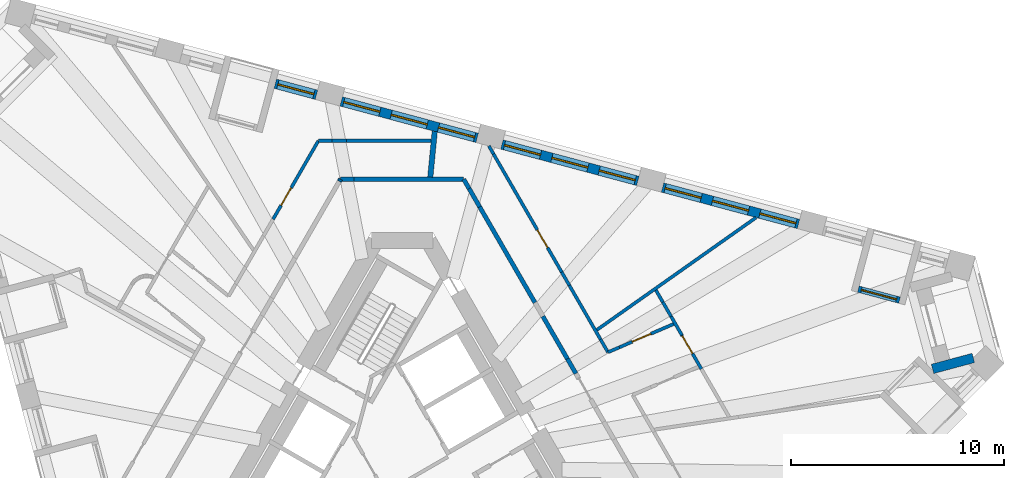
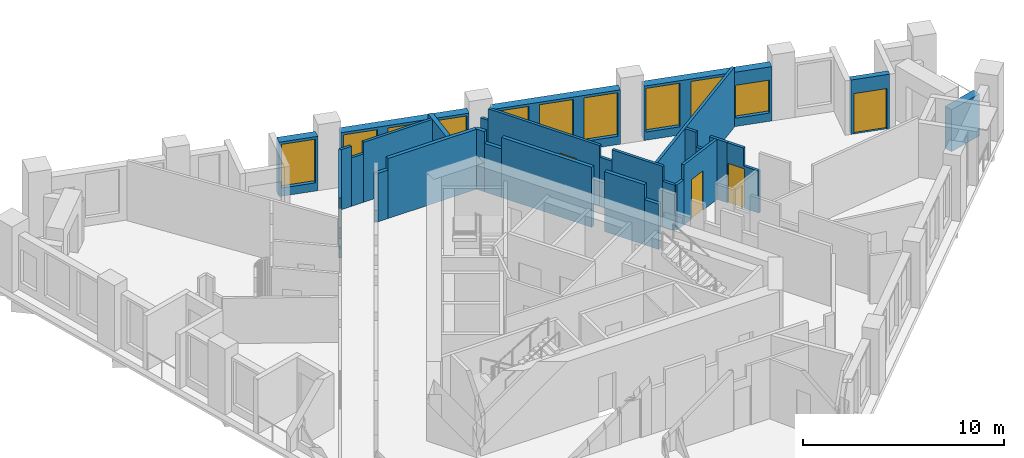
# One storey, part 8 of 13: 31 walls, 10 windows, 5 doors, 15 openings.
"""IFC4 building model written with IfcOpenShell, lengths in metres."""

from ifc_helpers import new_model, si_unit, direction, frame, frame_2d, origin, place, context, subcontext, project, spatial, polyline, rectangle, outline, extrude, material, layer, layer_set, type_object, element, fill, save


model = new_model("IFC4")

# Units and contexts
model_context = context("Model", 3, precision=1e-05, world=origin(), true_north=direction((0.0, 1.0)))
body_context = subcontext(model_context, "Body", "Model", "MODEL_VIEW")
ifc_project = project(units=[si_unit("LENGTHUNIT", "METRE"), si_unit("AREAUNIT", "SQUARE_METRE"), si_unit("VOLUMEUNIT", "CUBIC_METRE"), si_unit("PLANEANGLEUNIT", "RADIAN"), si_unit("MASSUNIT", "GRAM", prefix="KILO")], contexts=[model_context])

# Site, building, storey
site_placement = place(None, origin())
site = spatial("IfcSite", under=ifc_project, at=site_placement, CompositionType="ELEMENT")
building_placement = place(site_placement, origin())
building = spatial("IfcBuilding", under=site, at=building_placement, Name="Tramontana Tower", CompositionType="ELEMENT")
storey_placement = place(building_placement, frame((0.0, 0.0, 220.0)))
storey = spatial("IfcBuildingStorey", under=building, at=storey_placement, Name="L51", CompositionType="ELEMENT", Elevation=220.0)

# Walls
ifc_material_1 = material(Name="Blockwork", Category="masonry")
ifc_layer_1 = layer(ifc_material_1, 0.199951171875)
ifc_layer_set_1 = layer_set([ifc_layer_1], Name="ENTRY WALL 200")
wall_type_1 = type_object("IfcWallType", Name="ENTRY WALL 200", PredefinedType="SOLIDWALL", material=ifc_layer_set_1)
wall_1_placement = place(storey_placement, frame((2.88671875, 13.5, 0.0), z_axis=(0.0, 0.0, 1.0), x_axis=(0.500002592159, -0.866023907196, 0.0)))
element("IfcWall", 1, at=wall_1_placement, inside=storey, type_object=wall_type_1, Name="Wall v51-ew0-0", PredefinedType="SOLIDWALL", context=body_context, shape_type="SweptSolid", body=[
    extrude(rectangle(XDim=0.5029296875, YDim=0.199951171875, at=frame_2d((0.25146484375, 0.0))), origin(), (0.0, 0.0, 1.0), 3.64990234375),
])
wall_2_placement = place(storey_placement, frame((3.13818359375, 13.064453125, 0.0), z_axis=(0.0, 0.0, 1.0), x_axis=(0.500063959222, -0.865988473761, 0.0)))
element("IfcWall", 2, at=wall_2_placement, inside=storey, type_object=wall_type_1, Name="Wall v51-ew0-1", PredefinedType="SOLIDWALL", context=body_context, shape_type="SweptSolid", body=[
    extrude(rectangle(XDim=0.989990234375, YDim=0.199951171875, at=frame_2d((0.4951171875, 0.0))), origin(), (0.0, 0.0, 1.0), 2.949951171875),
])
wall_3_placement = place(storey_placement, frame((3.63330078125, 12.20703125, 0.0), z_axis=(0.0, 0.0, 1.0), x_axis=(0.499990271856, -0.866031020258, 0.0)))
element("IfcWall", 3, at=wall_3_placement, inside=storey, type_object=wall_type_1, Name="Wall v51-ew0-2", PredefinedType="SOLIDWALL", context=body_context, shape_type="SweptSolid", body=[
    extrude(rectangle(XDim=5.181640625, YDim=0.199951171875, at=frame_2d((2.5908203125, 0.0))), origin(), (0.0, 0.0, 1.0), 3.64990234375),
])
wall_4_placement = place(storey_placement, frame((6.594482421875, 7.077880859375, 0.0), z_axis=(0.0, 0.0, 1.0), x_axis=(0.500013761451, -0.866017458461, 0.0)))
element("IfcWall", 4, at=wall_4_placement, inside=storey, type_object=wall_type_1, Name="Wall v51-ew0-4", PredefinedType="SOLIDWALL", context=body_context, shape_type="SweptSolid", body=[
    extrude(rectangle(XDim=2.29736328125, YDim=0.199951171875, at=frame_2d((1.148681640625, 0.0))), origin(), (0.0, 0.0, 1.0), 3.64990234375),
])
wall_5_placement = place(storey_placement, frame((7.7431640625, 5.08837890625, 0.0), z_axis=(0.0, 0.0, 1.0), x_axis=(0.500109828528, -0.865961984968, 0.0)))
element("IfcWall", 5, at=wall_5_placement, inside=storey, type_object=wall_type_1, Name="Wall v51-ew0-5", PredefinedType="SOLIDWALL", context=body_context, shape_type="SweptSolid", body=[
    extrude(rectangle(XDim=0.800048828125, YDim=0.199951171875, at=frame_2d((0.39990234375, 0.0))), origin(), (0.0, 0.0, 1.0), 2.75),
])
wall_6_placement = place(storey_placement, frame((-2.939208984375, 13.4091796875, 0.0), z_axis=(0.0, 0.0, 1.0), x_axis=(0.500393920955, 0.865797853931, 0.0)))
element("IfcWall", 6, at=wall_6_placement, inside=storey, type_object=wall_type_1, Name="Wall v51-ew4-13", PredefinedType="SOLIDWALL", context=body_context, shape_type="SweptSolid", body=[
    extrude(rectangle(XDim=0.10498046875, YDim=0.199951171875, at=frame_2d((0.052490234375, 0.0))), origin(), (0.0, 0.0, 1.0), 2.949951171875),
])
wall_7_placement = place(storey_placement, frame((-2.88671875, 13.5, 0.0), z_axis=(0.0, 0.0, 1.0), x_axis=(1.0, 0.0, 0.0)))
element("IfcWall", 7, at=wall_7_placement, inside=storey, type_object=wall_type_1, Name="Wall v51-ew5-0", PredefinedType="SOLIDWALL", context=body_context, shape_type="SweptSolid", body=[
    extrude(rectangle(XDim=0.642822265625, YDim=0.199951171875, at=frame_2d((0.3212890625, 0.0))), origin(), (0.0, 0.0, 1.0), 2.949951171875),
])
wall_8_placement = place(storey_placement, frame((-2.243896484375, 13.5, 0.0), z_axis=(0.0, 0.0, 1.0), x_axis=(1.0, 0.0, 0.0)))
element("IfcWall", 8, at=wall_8_placement, inside=storey, type_object=wall_type_1, Name="Wall v51-ew5-1", PredefinedType="SOLIDWALL", context=body_context, shape_type="SweptSolid", body=[
    extrude(rectangle(XDim=5.130615234375, YDim=0.199951171875, at=frame_2d((2.5654296875, 0.0))), origin(), (0.0, 0.0, 1.0), 3.64990234375),
])

# Wall, openings, windows
ifc_material_2 = material(Name="Precast concrete 60 MPa", Category="concrete")
ifc_layer_2 = layer(ifc_material_2, 0.449951171875)
ifc_layer_set_2 = layer_set([ifc_layer_2], Name="Precast concrete 60 MPa, 450 mm")
wall_type_2 = type_object("IfcWallType", Name="EW1 Stone-faced precast wall 450", PredefinedType="SOLIDWALL", material=ifc_layer_set_2)
wall_9_placement = place(storey_placement, frame((18.573486328125, 11.406494140625, 0.0), z_axis=(0.0, 0.0, 1.0), x_axis=(-0.965921443251, 0.258835402268, 0.0)))
wall_9 = element("IfcWall", 9, at=wall_9_placement, inside=storey, type_object=wall_type_2, Name="External wall L51 face 2 bay 2", PredefinedType="SOLIDWALL", context=body_context, shape_type="SweptSolid", body=[
    extrude(rectangle(XDim=6.593994140625, YDim=0.449951171875, at=frame_2d((3.296875, 0.0))), origin(), (0.0, 0.0, 1.0), 3.300048828125),
])
opening_1_placement = place(wall_9_placement, frame((0.1240234375, 0.0, 0.5)))
opening_1 = element("IfcOpeningElement", 10, at=opening_1_placement, cuts=wall_9, Name="Opening M2L", PredefinedType="OPENING", context=body_context, shape_type="SweptSolid", body=[
    extrude(rectangle(XDim=1.75, YDim=2.0, at=frame_2d((0.875, 1.0))), frame((0.0, 0.23486328125, 0.0), z_axis=(0.0, -1.0, 0.0), x_axis=(1.0, 0.0, 0.0)), (0.0, 0.0, 1.0), 0.469970703125),
])
opening_2_placement = place(wall_9_placement, frame((2.422119140625, 0.0, 0.5)))
opening_2 = element("IfcOpeningElement", 11, at=opening_2_placement, cuts=wall_9, Name="Opening M2", PredefinedType="OPENING", context=body_context, shape_type="SweptSolid", body=[
    extrude(rectangle(XDim=1.75, YDim=2.64990234375, at=frame_2d((0.875, 1.324951171875))), frame((0.0, 0.23486328125, 0.0), z_axis=(0.0, -1.0, 0.0), x_axis=(1.0, 0.0, 0.0)), (0.0, 0.0, 1.0), 0.469970703125),
])
opening_3_placement = place(wall_9_placement, frame((4.72021484375, 0.0, 0.5)))
opening_3 = element("IfcOpeningElement", 12, at=opening_3_placement, cuts=wall_9, Name="Opening M2", PredefinedType="OPENING", context=body_context, shape_type="SweptSolid", body=[
    extrude(rectangle(XDim=1.75, YDim=2.64990234375, at=frame_2d((0.875, 1.324951171875))), frame((0.0, 0.23486328125, 0.0), z_axis=(0.0, -1.0, 0.0), x_axis=(1.0, 0.0, 0.0)), (0.0, 0.0, 1.0), 0.469970703125),
])
ifc_material_3 = material(Name="Aluminum frame, double glazing unit", Category="aluminium")
window_type_1 = type_object("IfcWindowType", Name="M2 Window 1.75 x 2.65", PartitioningType="SINGLE_PANEL", PredefinedType="WINDOW", material=ifc_material_3)
window_1_placement = place(opening_2_placement, origin())
window_1 = element("IfcWindow", 13, at=window_1_placement, inside=storey, type_object=window_type_1, Name="Window M2 L51 face 2 module 5", OverallHeight=2.64990234375, OverallWidth=1.75, PartitioningType="SINGLE_PANEL", PredefinedType="WINDOW", context=body_context, shape_type="SweptSolid", body=[
    extrude(rectangle(XDim=1.75, YDim=2.64990234375, at=frame_2d((0.875, 1.324951171875))), frame((0.0, 0.030029296875, 0.0), z_axis=(0.0, -1.0, 0.0), x_axis=(1.0, 0.0, 0.0)), (0.0, 0.0, 1.0), 0.06005859375),
])
fill(opening_2, window_1)
window_2_placement = place(opening_3_placement, origin())
window_2 = element("IfcWindow", 14, at=window_2_placement, inside=storey, type_object=window_type_1, Name="Window M2 L51 face 2 module 6", OverallHeight=2.64990234375, OverallWidth=1.75, PartitioningType="SINGLE_PANEL", PredefinedType="WINDOW", context=body_context, shape_type="SweptSolid", body=[
    extrude(rectangle(XDim=1.75, YDim=2.64990234375, at=frame_2d((0.875, 1.324951171875))), frame((0.0, 0.030029296875, 0.0), z_axis=(0.0, -1.0, 0.0), x_axis=(1.0, 0.0, 0.0)), (0.0, 0.0, 1.0), 0.06005859375),
])
fill(opening_3, window_2)
ifc_material_4 = material(Name="Aluminum frame, double glazing unit", Category="aluminium")
window_type_2 = type_object("IfcWindowType", Name="M2L Window 1.75 x 2", PartitioningType="SINGLE_PANEL", PredefinedType="WINDOW", material=ifc_material_4)
window_3_placement = place(opening_1_placement, origin())
window_3 = element("IfcWindow", 15, at=window_3_placement, inside=storey, type_object=window_type_2, Name="Window M2L L51 face 2 module 4", OverallHeight=2.0, OverallWidth=1.75, PartitioningType="SINGLE_PANEL", PredefinedType="WINDOW", context=body_context, shape_type="SweptSolid", body=[
    extrude(rectangle(XDim=1.75, YDim=2.0, at=frame_2d((0.875, 1.0))), frame((0.0, 0.030029296875, 0.0), z_axis=(0.0, -1.0, 0.0), x_axis=(1.0, 0.0, 0.0)), (0.0, 0.0, 1.0), 0.06005859375),
])
fill(opening_1, window_3)

wall_10_placement = place(storey_placement, frame((11.044921875, 13.423828125, 0.0), z_axis=(0.0, 0.0, 1.0), x_axis=(-0.965933178973, 0.258791602952, 0.0)))
wall_10 = element("IfcWall", 16, at=wall_10_placement, inside=storey, type_object=wall_type_2, Name="External wall L51 face 2 bay 3", PredefinedType="SOLIDWALL", context=body_context, shape_type="SweptSolid", body=[
    extrude(rectangle(XDim=6.59423828125, YDim=0.449951171875, at=frame_2d((3.297119140625, 0.0))), origin(), (0.0, 0.0, 1.0), 3.300048828125),
])
opening_4_placement = place(wall_10_placement, frame((0.1240234375, 0.0, 0.5)))
opening_4 = element("IfcOpeningElement", 17, at=opening_4_placement, cuts=wall_10, Name="Opening M2", PredefinedType="OPENING", context=body_context, shape_type="SweptSolid", body=[
    extrude(rectangle(XDim=1.75, YDim=2.64990234375, at=frame_2d((0.875, 1.324951171875))), frame((0.0, 0.23486328125, 0.0), z_axis=(0.0, -1.0, 0.0), x_axis=(1.0, 0.0, 0.0)), (0.0, 0.0, 1.0), 0.469970703125),
])
opening_5_placement = place(wall_10_placement, frame((2.422119140625, 0.0, 0.5)))
opening_5 = element("IfcOpeningElement", 18, at=opening_5_placement, cuts=wall_10, Name="Opening M2", PredefinedType="OPENING", context=body_context, shape_type="SweptSolid", body=[
    extrude(rectangle(XDim=1.75, YDim=2.64990234375, at=frame_2d((0.875, 1.324951171875))), frame((0.0, 0.23486328125, 0.0), z_axis=(0.0, -1.0, 0.0), x_axis=(1.0, 0.0, 0.0)), (0.0, 0.0, 1.0), 0.469970703125),
])
opening_6_placement = place(wall_10_placement, frame((4.72021484375, 0.0, 0.5)))
opening_6 = element("IfcOpeningElement", 19, at=opening_6_placement, cuts=wall_10, Name="Opening M2", PredefinedType="OPENING", context=body_context, shape_type="SweptSolid", body=[
    extrude(rectangle(XDim=1.75, YDim=2.64990234375, at=frame_2d((0.875, 1.324951171875))), frame((0.0, 0.23486328125, 0.0), z_axis=(0.0, -1.0, 0.0), x_axis=(1.0, 0.0, 0.0)), (0.0, 0.0, 1.0), 0.469970703125),
])
window_4_placement = place(opening_4_placement, origin())
window_4 = element("IfcWindow", 20, at=window_4_placement, inside=storey, type_object=window_type_1, Name="Window M2 L51 face 2 module 7", OverallHeight=2.64990234375, OverallWidth=1.75, PartitioningType="SINGLE_PANEL", PredefinedType="WINDOW", context=body_context, shape_type="SweptSolid", body=[
    extrude(rectangle(XDim=1.75, YDim=2.64990234375, at=frame_2d((0.875, 1.324951171875))), frame((0.0, 0.030029296875, 0.0), z_axis=(0.0, -1.0, 0.0), x_axis=(1.0, 0.0, 0.0)), (0.0, 0.0, 1.0), 0.06005859375),
])
fill(opening_4, window_4)
window_5_placement = place(opening_5_placement, origin())
window_5 = element("IfcWindow", 21, at=window_5_placement, inside=storey, type_object=window_type_1, Name="Window M2 L51 face 2 module 8", OverallHeight=2.64990234375, OverallWidth=1.75, PartitioningType="SINGLE_PANEL", PredefinedType="WINDOW", context=body_context, shape_type="SweptSolid", body=[
    extrude(rectangle(XDim=1.75, YDim=2.64990234375, at=frame_2d((0.875, 1.324951171875))), frame((0.0, 0.030029296875, 0.0), z_axis=(0.0, -1.0, 0.0), x_axis=(1.0, 0.0, 0.0)), (0.0, 0.0, 1.0), 0.06005859375),
])
fill(opening_5, window_5)
window_6_placement = place(opening_6_placement, origin())
window_6 = element("IfcWindow", 22, at=window_6_placement, inside=storey, type_object=window_type_1, Name="Window M2 L51 face 2 module 9", OverallHeight=2.64990234375, OverallWidth=1.75, PartitioningType="SINGLE_PANEL", PredefinedType="WINDOW", context=body_context, shape_type="SweptSolid", body=[
    extrude(rectangle(XDim=1.75, YDim=2.64990234375, at=frame_2d((0.875, 1.324951171875))), frame((0.0, 0.030029296875, 0.0), z_axis=(0.0, -1.0, 0.0), x_axis=(1.0, 0.0, 0.0)), (0.0, 0.0, 1.0), 0.06005859375),
])
fill(opening_6, window_6)

wall_11_placement = place(storey_placement, frame((3.516357421875, 15.441162109375, 0.0), z_axis=(0.0, 0.0, 1.0), x_axis=(-0.965933178973, 0.258791602952, 0.0)))
wall_11 = element("IfcWall", 23, at=wall_11_placement, inside=storey, type_object=wall_type_2, Name="External wall L51 face 2 bay 4", PredefinedType="SOLIDWALL", context=body_context, shape_type="SweptSolid", body=[
    extrude(rectangle(XDim=6.59423828125, YDim=0.449951171875, at=frame_2d((3.297119140625, 0.0))), origin(), (0.0, 0.0, 1.0), 3.300048828125),
])
opening_7_placement = place(wall_11_placement, frame((0.1240234375, 0.0, 0.5)))
opening_7 = element("IfcOpeningElement", 24, at=opening_7_placement, cuts=wall_11, Name="Opening M2", PredefinedType="OPENING", context=body_context, shape_type="SweptSolid", body=[
    extrude(rectangle(XDim=1.75, YDim=2.64990234375, at=frame_2d((0.875, 1.324951171875))), frame((0.0, 0.23486328125, 0.0), z_axis=(0.0, -1.0, 0.0), x_axis=(1.0, 0.0, 0.0)), (0.0, 0.0, 1.0), 0.469970703125),
])
opening_8_placement = place(wall_11_placement, frame((2.422119140625, 0.0, 0.5)))
opening_8 = element("IfcOpeningElement", 25, at=opening_8_placement, cuts=wall_11, Name="Opening M2", PredefinedType="OPENING", context=body_context, shape_type="SweptSolid", body=[
    extrude(rectangle(XDim=1.75, YDim=2.64990234375, at=frame_2d((0.875, 1.324951171875))), frame((0.0, 0.23486328125, 0.0), z_axis=(0.0, -1.0, 0.0), x_axis=(1.0, 0.0, 0.0)), (0.0, 0.0, 1.0), 0.469970703125),
])
opening_9_placement = place(wall_11_placement, frame((4.72021484375, 0.0, 0.5)))
opening_9 = element("IfcOpeningElement", 26, at=opening_9_placement, cuts=wall_11, Name="Opening M2", PredefinedType="OPENING", context=body_context, shape_type="SweptSolid", body=[
    extrude(rectangle(XDim=1.75, YDim=2.64990234375, at=frame_2d((0.875, 1.324951171875))), frame((0.0, 0.23486328125, 0.0), z_axis=(0.0, -1.0, 0.0), x_axis=(1.0, 0.0, 0.0)), (0.0, 0.0, 1.0), 0.469970703125),
])
window_7_placement = place(opening_7_placement, origin())
window_7 = element("IfcWindow", 27, at=window_7_placement, inside=storey, type_object=window_type_1, Name="Window M2 L51 face 2 module 10", OverallHeight=2.64990234375, OverallWidth=1.75, PartitioningType="SINGLE_PANEL", PredefinedType="WINDOW", context=body_context, shape_type="SweptSolid", body=[
    extrude(rectangle(XDim=1.75, YDim=2.64990234375, at=frame_2d((0.875, 1.324951171875))), frame((0.0, 0.030029296875, 0.0), z_axis=(0.0, -1.0, 0.0), x_axis=(1.0, 0.0, 0.0)), (0.0, 0.0, 1.0), 0.06005859375),
])
fill(opening_7, window_7)
window_8_placement = place(opening_8_placement, origin())
window_8 = element("IfcWindow", 28, at=window_8_placement, inside=storey, type_object=window_type_1, Name="Window M2 L51 face 2 module 11", OverallHeight=2.64990234375, OverallWidth=1.75, PartitioningType="SINGLE_PANEL", PredefinedType="WINDOW", context=body_context, shape_type="SweptSolid", body=[
    extrude(rectangle(XDim=1.75, YDim=2.64990234375, at=frame_2d((0.875, 1.324951171875))), frame((0.0, 0.030029296875, 0.0), z_axis=(0.0, -1.0, 0.0), x_axis=(1.0, 0.0, 0.0)), (0.0, 0.0, 1.0), 0.06005859375),
])
fill(opening_8, window_8)
window_9_placement = place(opening_9_placement, origin())
window_9 = element("IfcWindow", 29, at=window_9_placement, inside=storey, type_object=window_type_1, Name="Window M2 L51 face 2 module 12", OverallHeight=2.64990234375, OverallWidth=1.75, PartitioningType="SINGLE_PANEL", PredefinedType="WINDOW", context=body_context, shape_type="SweptSolid", body=[
    extrude(rectangle(XDim=1.75, YDim=2.64990234375, at=frame_2d((0.875, 1.324951171875))), frame((0.0, 0.030029296875, 0.0), z_axis=(0.0, -1.0, 0.0), x_axis=(1.0, 0.0, 0.0)), (0.0, 0.0, 1.0), 0.06005859375),
])
fill(opening_9, window_9)

# Wall, opening, window
wall_12_placement = place(storey_placement, frame((-4.012451171875, 17.458251953125, 0.0), z_axis=(0.0, 0.0, 1.0), x_axis=(-0.965899500874, 0.25891727291, 0.0)))
wall_12 = element("IfcWall", 30, at=wall_12_placement, inside=storey, type_object=wall_type_2, Name="External wall L51 face 2 bay 5", PredefinedType="SOLIDWALL", context=body_context, shape_type="SweptSolid", body=[
    extrude(rectangle(XDim=1.998046875, YDim=0.449951171875, at=frame_2d((0.9990234375, 0.0))), origin(), (0.0, 0.0, 1.0), 3.300048828125),
])
opening_10_placement = place(wall_12_placement, frame((0.1240234375, 0.0, 0.5)))
opening_10 = element("IfcOpeningElement", 31, at=opening_10_placement, cuts=wall_12, Name="Opening M2", PredefinedType="OPENING", context=body_context, shape_type="SweptSolid", body=[
    extrude(rectangle(XDim=1.75, YDim=2.64990234375, at=frame_2d((0.875, 1.324951171875))), frame((0.0, 0.23486328125, 0.0), z_axis=(0.0, -1.0, 0.0), x_axis=(1.0, 0.0, 0.0)), (0.0, 0.0, 1.0), 0.469970703125),
])
window_10_placement = place(opening_10_placement, origin())
window_10 = element("IfcWindow", 32, at=window_10_placement, inside=storey, type_object=window_type_1, Name="Window M2 L51 face 2 module 13", OverallHeight=2.64990234375, OverallWidth=1.75, PartitioningType="SINGLE_PANEL", PredefinedType="WINDOW", context=body_context, shape_type="SweptSolid", body=[
    extrude(rectangle(XDim=1.75, YDim=2.64990234375, at=frame_2d((0.875, 1.324951171875))), frame((0.0, 0.030029296875, 0.0), z_axis=(0.0, -1.0, 0.0), x_axis=(1.0, 0.0, 0.0)), (0.0, 0.0, 1.0), 0.06005859375),
])
fill(opening_10, window_10)

# Wall
wall_13_placement = place(storey_placement, frame((26.76416015625, 5.126708984375, 0.0), z_axis=(0.0, 0.0, 1.0), x_axis=(-0.965927127032, -0.258814190615, 0.0)))
element("IfcWall", 33, at=wall_13_placement, inside=storey, type_object=wall_type_2, Name="Corner loggia side wall L51 K52r", PredefinedType="SOLIDWALL", context=body_context, shape_type="SweptSolid", body=[
    extrude(rectangle(XDim=1.97900390625, YDim=0.449951171875, at=frame_2d((0.989501953125, 0.0))), origin(), (0.0, 0.0, 1.0), 2.550048828125),
])

# Wall, opening, door
ifc_material_5 = material(Name="Precast concrete 60 MPa", Category="concrete")
ifc_layer_3 = layer(ifc_material_5, 0.300048828125)
ifc_layer_set_3 = layer_set([ifc_layer_3], Name="LW1 Stone-faced loggia wall 300")
wall_type_3 = type_object("IfcWallType", Name="LW1 Stone-faced loggia wall 300", PredefinedType="SOLIDWALL", material=ifc_layer_set_3)
wall_14_placement = place(storey_placement, frame((23.306640625, 7.834716796875, 0.0), z_axis=(0.0, 0.0, 1.0), x_axis=(-0.965938235865, 0.258772727493, 0.0)))
wall_14 = element("IfcWall", 34, at=wall_14_placement, inside=storey, type_object=wall_type_3, Name="Loggia wall L51 G5S2.1", PredefinedType="SOLIDWALL", context=body_context, shape_type="SweptSolid", body=[
    extrude(rectangle(XDim=1.998291015625, YDim=0.300048828125, at=frame_2d((0.9990234375, 0.0))), origin(), (0.0, 0.0, 1.0), 3.300048828125),
])
opening_11_placement = place(wall_14_placement, frame((0.14892578125, 0.0, 0.0)))
opening_11 = element("IfcOpeningElement", 35, at=opening_11_placement, cuts=wall_14, Name="Opening BD-5S2-01", PredefinedType="OPENING", context=body_context, shape_type="SweptSolid", body=[
    extrude(rectangle(XDim=1.699951171875, YDim=2.449951171875, at=frame_2d((0.85009765625, 1.22509765625))), frame((0.0, 0.159912109375, 0.0), z_axis=(0.0, -1.0, 0.0), x_axis=(1.0, 0.0, 0.0)), (0.0, 0.0, 1.0), 0.320068359375),
])
ifc_material_6 = material(Name="Aluminum frame, double glazing unit", Category="aluminium")
door_type_1 = type_object("IfcDoorType", Name="BD2 Sliding door 1.7 x 2.45", OperationType="SLIDING_TO_LEFT", PredefinedType="DOOR", material=ifc_material_6)
door_1_placement = place(opening_11_placement, origin())
door_1 = element("IfcDoor", 36, at=door_1_placement, inside=storey, type_object=door_type_1, Name="Loggia door L51 G5S2.1", OperationType="SLIDING_TO_LEFT", OverallHeight=2.449951171875, OverallWidth=1.699951171875, PredefinedType="DOOR", context=body_context, shape_type="SweptSolid", body=[
    extrude(rectangle(XDim=1.699951171875, YDim=2.449951171875, at=frame_2d((0.85009765625, 1.22509765625))), frame((0.0, 0.02490234375, 0.0), z_axis=(0.0, -1.0, 0.0), x_axis=(1.0, 0.0, 0.0)), (0.0, 0.0, 1.0), 0.050048828125),
])
fill(opening_11, door_1)

ifc_material_7 = material(Name="Gypsum board partition")
ifc_layer_4 = layer(ifc_material_7, 0.14990234375)
ifc_layer_set_4 = layer_set([ifc_layer_4], Name="PARTITION 150")
wall_type_4 = type_object("IfcWallType", Name="PARTITION 150", PredefinedType="PARTITIONING", material=ifc_layer_set_4)
wall_15_placement = place(storey_placement, frame((-6.045654296875, 11.628662109375, 0.0), z_axis=(0.0, 0.0, 1.0), x_axis=(0.500016586593, 0.866015827298, 0.0)))
wall_15 = element("IfcWall", 37, at=wall_15_placement, inside=storey, type_object=wall_type_4, Name="Wall v51-pw29-4", PredefinedType="PARTITIONING", context=body_context, shape_type="SweptSolid", body=[
    extrude(rectangle(XDim=4.239013671875, YDim=0.14990234375, at=frame_2d((2.11962890625, 0.0))), origin(), (0.0, 0.0, 1.0), 3.64990234375),
])
opening_12_placement = place(wall_15_placement, frame((0.7490234375, 0.0, 0.0)))
opening_12 = element("IfcOpeningElement", 38, at=opening_12_placement, cuts=wall_15, Name="Opening B5B-04", PredefinedType="OPENING", context=body_context, shape_type="SweptSolid", body=[
    extrude(rectangle(XDim=0.949951171875, YDim=2.39990234375, at=frame_2d((0.47509765625, 1.199951171875))), frame((0.0, 0.0849609375, 0.0), z_axis=(0.0, -1.0, 0.0), x_axis=(1.0, 0.0, 0.0)), (0.0, 0.0, 1.0), 0.169921875),
])
ifc_material_8 = material(Name="Painted timber", Category="wood")
door_type_2 = type_object("IfcDoorType", Name="DOOR ROOM 950", OperationType="SINGLE_SWING_LEFT", PredefinedType="DOOR", material=ifc_material_8)
door_2_placement = place(opening_12_placement, origin())
door_2 = element("IfcDoor", 39, at=door_2_placement, inside=storey, type_object=door_type_2, Name="Door B5B-04", OperationType="SINGLE_SWING_RIGHT", OverallHeight=2.39990234375, OverallWidth=0.949951171875, PredefinedType="DOOR", context=body_context, shape_type="SweptSolid", body=[
    extrude(rectangle(XDim=0.949951171875, YDim=2.39990234375, at=frame_2d((0.47509765625, 1.199951171875))), frame((0.0, 0.02490234375, 0.0), z_axis=(0.0, -1.0, 0.0), x_axis=(1.0, 0.0, 0.0)), (0.0, 0.0, 1.0), 0.050048828125),
])
fill(opening_12, door_2)

# Walls
wall_16_placement = place(storey_placement, frame((-3.92578125, 15.300048828125, 0.0), z_axis=(0.0, 0.0, 1.0), x_axis=(1.0, 0.0, 0.0)))
element("IfcWall", 40, at=wall_16_placement, inside=storey, type_object=wall_type_4, Name="Wall v51-pw30-0", PredefinedType="PARTITIONING", context=body_context, shape_type="SweptSolid", body=[
    extrude(rectangle(XDim=0.63525390625, YDim=0.14990234375, at=frame_2d((0.317626953125, 0.0))), origin(), (0.0, 0.0, 1.0), 3.64990234375),
])
wall_17_placement = place(storey_placement, frame((-3.29052734375, 15.300048828125, 0.0), z_axis=(0.0, 0.0, 1.0), x_axis=(1.0, 0.0, 0.0)))
element("IfcWall", 41, at=wall_17_placement, inside=storey, type_object=wall_type_4, Name="Wall v51-pw30-1", PredefinedType="PARTITIONING", context=body_context, shape_type="SweptSolid", body=[
    extrude(rectangle(XDim=0.687255859375, YDim=0.14990234375, at=frame_2d((0.34375, 0.0))), origin(), (0.0, 0.0, 1.0), 2.949951171875),
])
wall_18_placement = place(storey_placement, frame((-2.603271484375, 15.300048828125, 0.0), z_axis=(0.0, 0.0, 1.0), x_axis=(1.0, 0.0, 0.0)))
element("IfcWall", 42, at=wall_18_placement, inside=storey, type_object=wall_type_4, Name="Wall v51-pw30-2", PredefinedType="PARTITIONING", context=body_context, shape_type="SweptSolid", body=[
    extrude(rectangle(XDim=3.962890625, YDim=0.14990234375, at=frame_2d((1.9814453125, 0.0))), origin(), (0.0, 0.0, 1.0), 3.64990234375),
])
wall_19_placement = place(storey_placement, frame((4.063720703125, 15.061279296875, 0.0), z_axis=(0.0, 0.0, 1.0), x_axis=(0.500027377864, -0.86600959659, 0.0)))
element("IfcWall", 43, at=wall_19_placement, inside=storey, type_object=wall_type_4, Name="Wall v51-pw54-0", PredefinedType="PARTITIONING", context=body_context, shape_type="SweptSolid", body=[
    extrude(rectangle(XDim=0.43896484375, YDim=0.14990234375, at=frame_2d((0.219482421875, 0.0))), origin(), (0.0, 0.0, 1.0), 2.949951171875),
])

# Wall, opening, door
wall_20_placement = place(storey_placement, frame((4.283203125, 14.68115234375, 0.0), z_axis=(0.0, 0.0, 1.0), x_axis=(0.500010206181, -0.866019511163, 0.0)))
wall_20 = element("IfcWall", 44, at=wall_20_placement, inside=storey, type_object=wall_type_4, Name="Wall v51-pw54-1", PredefinedType="PARTITIONING", context=body_context, shape_type="SweptSolid", body=[
    extrude(rectangle(XDim=6.389404296875, YDim=0.14990234375, at=frame_2d((3.19482421875, 0.0))), origin(), (0.0, 0.0, 1.0), 3.64990234375),
])
opening_13_placement = place(wall_20_placement, frame((4.109130859375, 0.0, 0.0)))
opening_13 = element("IfcOpeningElement", 45, at=opening_13_placement, cuts=wall_20, Name="Opening B5B-17", PredefinedType="OPENING", context=body_context, shape_type="SweptSolid", body=[
    extrude(rectangle(XDim=0.949951171875, YDim=2.39990234375, at=frame_2d((0.47509765625, 1.199951171875))), frame((0.0, 0.0849609375, 0.0), z_axis=(0.0, -1.0, 0.0), x_axis=(1.0, 0.0, 0.0)), (0.0, 0.0, 1.0), 0.169921875),
])
door_3_placement = place(opening_13_placement, origin())
door_3 = element("IfcDoor", 46, at=door_3_placement, inside=storey, type_object=door_type_2, Name="Door B5B-17", OperationType="SINGLE_SWING_LEFT", OverallHeight=2.39990234375, OverallWidth=0.949951171875, PredefinedType="DOOR", context=body_context, shape_type="SweptSolid", body=[
    extrude(rectangle(XDim=0.949951171875, YDim=2.39990234375, at=frame_2d((0.47509765625, 1.199951171875))), frame((0.0, 0.02490234375, 0.0), z_axis=(0.0, -1.0, 0.0), x_axis=(1.0, 0.0, 0.0)), (0.0, 0.0, 1.0), 0.050048828125),
])
fill(opening_13, door_3)

# Walls
wall_21_placement = place(storey_placement, frame((7.47802734375, 9.147705078125, 0.0), z_axis=(0.0, 0.0, 1.0), x_axis=(0.499998569178, -0.866026229868, 0.0)))
element("IfcWall", 47, at=wall_21_placement, inside=storey, type_object=wall_type_4, Name="Wall v51-pw54-2", PredefinedType="PARTITIONING", context=body_context, shape_type="SweptSolid", body=[
    extrude(rectangle(XDim=0.71435546875, YDim=0.14990234375, at=frame_2d((0.357177734375, 0.0))), origin(), (0.0, 0.0, 1.0), 2.949951171875),
])
wall_22_placement = place(storey_placement, frame((7.835205078125, 8.529052734375, 0.0), z_axis=(0.0, 0.0, 1.0), x_axis=(0.49998782916, -0.866032430508, 0.0)))
element("IfcWall", 48, at=wall_22_placement, inside=storey, type_object=wall_type_4, Name="Wall v51-pw54-3", PredefinedType="PARTITIONING", context=body_context, shape_type="SweptSolid", body=[
    extrude(rectangle(XDim=2.919921875, YDim=0.14990234375, at=frame_2d((1.4599609375, 0.0))), origin(), (0.0, 0.0, 1.0), 3.64990234375),
])
wall_23_placement = place(storey_placement, frame((9.295166015625, 6.000244140625, 0.0), z_axis=(0.0, 0.0, 1.0), x_axis=(0.49991492233, -0.866074517829, 0.0)))
element("IfcWall", 49, at=wall_23_placement, inside=storey, type_object=wall_type_4, Name="Wall v51-pw54-4", PredefinedType="PARTITIONING", context=body_context, shape_type="SweptSolid", body=[
    extrude(rectangle(XDim=0.6953125, YDim=0.14990234375, at=frame_2d((0.34765625, 0.0))), origin(), (0.0, 0.0, 1.0), 2.75),
])
wall_24_placement = place(storey_placement, frame((9.126708984375, 6.44189453125, 0.0), z_axis=(0.0, 0.0, 1.0), x_axis=(0.816989355672, 0.576652748817, 0.0)))
element("IfcWall", 50, at=wall_24_placement, inside=storey, type_object=wall_type_4, Name="Wall v51-pw58", PredefinedType="PARTITIONING", context=body_context, shape_type="SweptSolid", body=[
    extrude(rectangle(XDim=9.129150390625, YDim=0.14990234375, at=frame_2d((4.564453125, 0.0))), origin(), (0.0, 0.0, 1.0), 3.64990234375),
])
wall_25_placement = place(storey_placement, frame((9.646728515625, 5.396728515625, 0.0), z_axis=(0.0, 0.0, 1.0), x_axis=(0.91873168047, 0.394882386668, 0.0)))
element("IfcWall", 51, at=wall_25_placement, inside=storey, type_object=wall_type_4, Name="Wall v51-pw60-0", PredefinedType="PARTITIONING", context=body_context, shape_type="SweptSolid", body=[
    extrude(rectangle(XDim=0.5810546875, YDim=0.14990234375, at=frame_2d((0.29052734375, 0.0))), origin(), (0.0, 0.0, 1.0), 2.75),
])

# Wall, opening, door
wall_26_placement = place(storey_placement, frame((10.1806640625, 5.626220703125, 0.0), z_axis=(0.0, 0.0, 1.0), x_axis=(0.918784080303, 0.394760451138, 0.0)))
wall_26 = element("IfcWall", 52, at=wall_26_placement, inside=storey, type_object=wall_type_4, Name="Wall v51-pw60-1", PredefinedType="PARTITIONING", context=body_context, shape_type="SweptSolid", body=[
    extrude(rectangle(XDim=2.8369140625, YDim=0.14990234375, at=frame_2d((1.41845703125, 0.0))), origin(), (0.0, 0.0, 1.0), 3.64990234375),
])
opening_14_placement = place(wall_26_placement, frame((0.65283203125, 0.0, 0.0)))
opening_14 = element("IfcOpeningElement", 53, at=opening_14_placement, cuts=wall_26, Name="Opening B5B-13", PredefinedType="OPENING", context=body_context, shape_type="SweptSolid", body=[
    extrude(rectangle(XDim=0.949951171875, YDim=2.39990234375, at=frame_2d((0.47509765625, 1.199951171875))), frame((0.0, 0.0849609375, 0.0), z_axis=(0.0, -1.0, 0.0), x_axis=(1.0, 0.0, 0.0)), (0.0, 0.0, 1.0), 0.169921875),
])
door_4_placement = place(opening_14_placement, origin())
door_4 = element("IfcDoor", 54, at=door_4_placement, inside=storey, type_object=door_type_2, Name="Door B5B-13", OperationType="SINGLE_SWING_LEFT", OverallHeight=2.39990234375, OverallWidth=0.949951171875, PredefinedType="DOOR", context=body_context, shape_type="SweptSolid", body=[
    extrude(rectangle(XDim=0.949951171875, YDim=2.39990234375, at=frame_2d((0.47509765625, 1.199951171875))), frame((0.0, 0.02490234375, 0.0), z_axis=(0.0, -1.0, 0.0), x_axis=(1.0, 0.0, 0.0)), (0.0, 0.0, 1.0), 0.050048828125),
])
fill(opening_14, door_4)

# Walls
wall_27_placement = place(storey_placement, frame((11.892333984375, 8.302001953125, 0.0), z_axis=(0.0, 0.0, 1.0), x_axis=(0.499842556608, -0.866116284689, 0.0)))
element("IfcWall", 55, at=wall_27_placement, inside=storey, type_object=wall_type_4, Name="Wall v51-pw62-0", PredefinedType="PARTITIONING", context=body_context, shape_type="SweptSolid", body=[
    extrude(rectangle(XDim=0.645263671875, YDim=0.14990234375, at=frame_2d((0.32275390625, 0.0))), origin(), (0.0, 0.0, 1.0), 3.64990234375),
])
wall_28_placement = place(storey_placement, frame((12.21484375, 7.7431640625, 0.0), z_axis=(0.0, 0.0, 1.0), x_axis=(0.500204125617, -0.865907519724, 0.0)))
element("IfcWall", 56, at=wall_28_placement, inside=storey, type_object=wall_type_4, Name="Wall v51-pw62-1", PredefinedType="PARTITIONING", context=body_context, shape_type="SweptSolid", body=[
    extrude(rectangle(XDim=0.775146484375, YDim=0.14990234375, at=frame_2d((0.3876953125, 0.0))), origin(), (0.0, 0.0, 1.0), 2.75),
])
wall_29_placement = place(storey_placement, frame((12.6025390625, 7.072021484375, 0.0), z_axis=(0.0, 0.0, 1.0), x_axis=(0.499813337478, -0.866133146623, 0.0)))
element("IfcWall", 57, at=wall_29_placement, inside=storey, type_object=wall_type_4, Name="Wall v51-pw62-2", PredefinedType="PARTITIONING", context=body_context, shape_type="SweptSolid", body=[
    extrude(rectangle(XDim=1.0078125, YDim=0.14990234375, at=frame_2d((0.50390625, 0.0))), origin(), (0.0, 0.0, 1.0), 3.64990234375),
])

# Wall, opening, door
wall_30_placement = place(storey_placement, frame((13.106201171875, 6.19921875, 0.0), z_axis=(0.0, 0.0, 1.0), x_axis=(0.500011000363, -0.866019052629, 0.0)))
wall_30 = element("IfcWall", 58, at=wall_30_placement, inside=storey, type_object=wall_type_4, Name="Wall v51-pw62-3", PredefinedType="PARTITIONING", context=body_context, shape_type="SweptSolid", body=[
    extrude(outline(polyline([(0.0, 0.0), (1.8310546875, 0.0), (1.8310546875, 2.550048828125), (0.9423828125, 2.550048828125), (0.9423828125, 3.64990234375), (0.0, 3.64990234375), (0.0, 0.0)])), frame((0.0, 0.074951171875, 0.0), z_axis=(0.0, -1.0, 0.0), x_axis=(1.0, 0.0, 0.0)), (0.0, 0.0, 1.0), 0.14990234375),
])
opening_15_placement = place(wall_30_placement, frame((0.050048828125, 0.0, 0.0)))
opening_15 = element("IfcOpeningElement", 59, at=opening_15_placement, cuts=wall_30, Name="Opening B5B-15", PredefinedType="OPENING", context=body_context, shape_type="SweptSolid", body=[
    extrude(rectangle(XDim=0.949951171875, YDim=2.39990234375, at=frame_2d((0.47509765625, 1.199951171875))), frame((0.0, 0.0849609375, 0.0), z_axis=(0.0, -1.0, 0.0), x_axis=(1.0, 0.0, 0.0)), (0.0, 0.0, 1.0), 0.169921875),
])
door_5_placement = place(opening_15_placement, origin())
door_5 = element("IfcDoor", 60, at=door_5_placement, inside=storey, type_object=door_type_2, Name="Door B5B-15", OperationType="SINGLE_SWING_LEFT", OverallHeight=2.39990234375, OverallWidth=0.949951171875, PredefinedType="DOOR", context=body_context, shape_type="SweptSolid", body=[
    extrude(rectangle(XDim=0.949951171875, YDim=2.39990234375, at=frame_2d((0.47509765625, 1.199951171875))), frame((0.0, 0.02490234375, 0.0), z_axis=(0.0, -1.0, 0.0), x_axis=(1.0, 0.0, 0.0)), (0.0, 0.0, 1.0), 0.050048828125),
])
fill(opening_15, door_5)

# Wall
ifc_material_9 = material(Name="Blockwork", Category="masonry")
ifc_layer_5 = layer(ifc_material_9, 0.25)
ifc_layer_set_5 = layer_set([ifc_layer_5], Name="PARTY WALL 250")
wall_type_5 = type_object("IfcWallType", Name="PARTY WALL 250", PredefinedType="SOLIDWALL", material=ifc_layer_set_5)
wall_31_placement = place(storey_placement, frame((1.528076171875, 15.740966796875, 0.0), z_axis=(0.0, 0.0, 1.0), x_axis=(-0.096592624469, -0.995323999961, 0.0)))
element("IfcWall", 61, at=wall_31_placement, inside=storey, type_object=wall_type_5, Name="Wall v51-pw53", PredefinedType="SOLIDWALL", context=body_context, shape_type="SweptSolid", body=[
    extrude(rectangle(XDim=2.15087890625, YDim=0.25, at=frame_2d((1.075439453125, 0.0))), origin(), (0.0, 0.0, 1.0), 3.64990234375),
])

save(model, "model.ifc")
